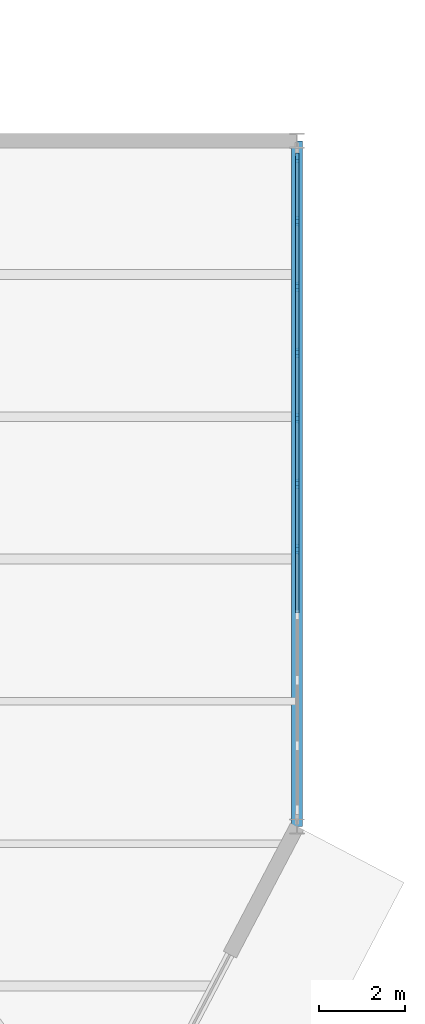
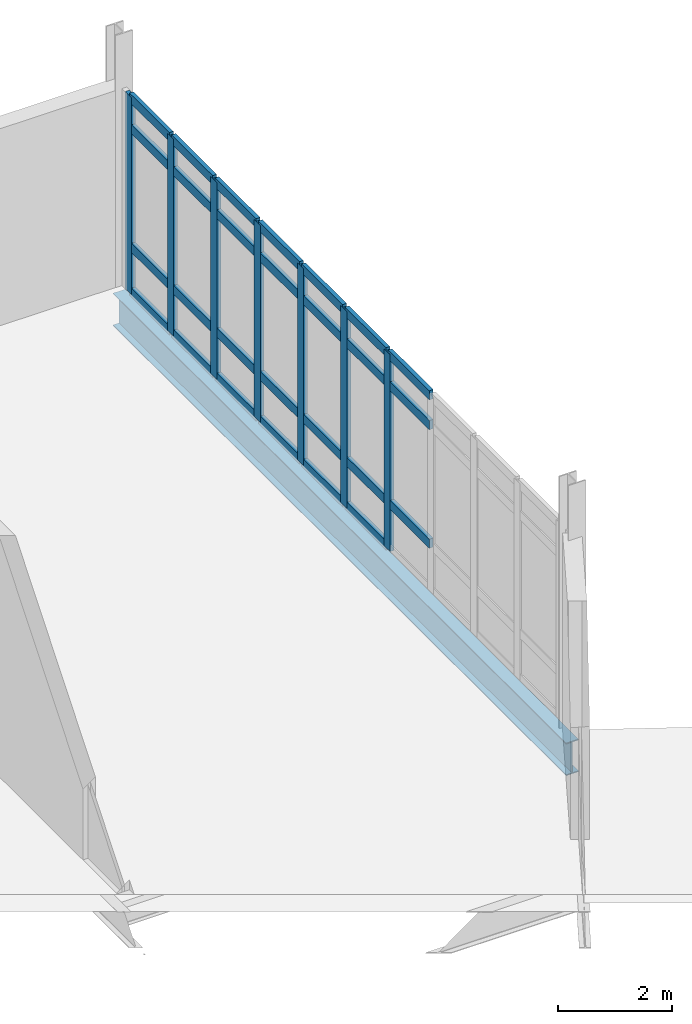
# One storey, part 67 of 113: 34 members, 1 beam, 1 element without a shape of its own.
"""IFC4 building model written with IfcOpenShell, lengths in metres."""

from ifc_helpers import new_model, si_unit, direction, frame, origin, origin_2d, place, context, subcontext, project, spatial, rectangle, i_section, extrude, material, material_profile, profile_set, type_object, element, aggregate, save


model = new_model("IFC4")

# Units and contexts
model_context = context("Model", 3, precision=1e-05, world=origin(), true_north=direction((0.0, 1.0)))
body_context = subcontext(model_context, "Body", "Model", "MODEL_VIEW")
ifc_project = project(units=[si_unit("LENGTHUNIT", "METRE"), si_unit("AREAUNIT", "SQUARE_METRE"), si_unit("VOLUMEUNIT", "CUBIC_METRE"), si_unit("PLANEANGLEUNIT", "RADIAN"), si_unit("MASSUNIT", "GRAM", prefix="KILO")], contexts=[model_context])

# Site, building, storey
site_placement = place(None, origin())
site = spatial("IfcSite", under=ifc_project, at=site_placement, CompositionType="ELEMENT")
building_placement = place(site_placement, origin())
building = spatial("IfcBuilding", under=site, at=building_placement, Name="Tameran Prism Museum", CompositionType="ELEMENT")
storey_placement = place(building_placement, origin())
storey = spatial("IfcBuildingStorey", under=building, at=storey_placement, Name="L00", CompositionType="ELEMENT", Elevation=0.0)

# Beam
ifc_material_1 = material(Name="Steel Grade 350 (350 MPa)", Category="steel")
ifc_material_profile_1 = material_profile(ifc_material_1, i_section(OverallWidth=0.25, OverallDepth=0.699951171875, WebThickness=0.010009765625, FlangeThickness=0.02001953125, at=origin_2d()))
ifc_profile_set_1 = profile_set([ifc_material_profile_1])
beam_type = type_object("IfcBeamType", Name="BM-SP700", PredefinedType="SPANDREL", material=ifc_profile_set_1)
beam_placement = place(storey_placement, frame((166.39990234375, 96.10009765625, -0.590087890625), z_axis=(0.0, 1.0, 0.0), x_axis=(-1.0, 0.0, 0.0)))
element("IfcBeam", 1, at=beam_placement, inside=storey, type_object=beam_type, Name="Perimeter Spandrel SP-0018", PredefinedType="SPANDREL", context=body_context, shape_type="SweptSolid", body=[
    extrude(i_section(OverallWidth=0.25, OverallDepth=0.699951171875, WebThickness=0.010009765625, FlangeThickness=0.02001953125, at=origin_2d()), origin(), (0.0, 0.0, 1.0), 15.89990234375),
])

# Curtain wall, members
ifc_material_2 = material(Name="Anodised Aluminium 6063-T6 and Cyclone Solar Glass", Category="aluminium")
curtain_wall_type = type_object("IfcCurtainWallType", Name="CW-FAC-1520x422", PredefinedType="USERDEFINED", material=ifc_material_2)
curtain_wall_placement = place(storey_placement, origin())
curtain_wall = element("IfcCurtainWall", 2, at=curtain_wall_placement, inside=storey, type_object=curtain_wall_type, Name="Unitised Curtain Wall CW-026", ObjectType="UNITISED CURTAIN WALL", PredefinedType="USERDEFINED")
ifc_material_3 = material(Name="Anodised Aluminium Alloy 6063-T6", Category="aluminium")
ifc_material_profile_2 = material_profile(ifc_material_3, rectangle(XDim=0.080078125, YDim=0.219970703125, at=origin_2d()))
ifc_profile_set_2 = profile_set([ifc_material_profile_2])
member_type_1 = type_object("IfcMemberType", Name="CW-MUL-D", PredefinedType="MULLION", material=ifc_profile_set_2)
member_1_placement = place(storey_placement, frame((166.39990234375, 111.610107421875, 0.0), z_axis=(0.0, 0.0, 1.0), x_axis=(1.0, 0.0, 0.0)))
member_1 = element("IfcMember", 3, at=member_1_placement, type_object=member_type_1, Name="CW-026 mullion 1", PredefinedType="MULLION", context=body_context, shape_type="SweptSolid", body=[
    extrude(rectangle(XDim=0.080078125, YDim=0.219970703125, at=origin_2d()), origin(), (0.0, 0.0, 1.0), 4.219970703125),
])
member_2_placement = place(storey_placement, frame((166.39990234375, 110.1298828125, 0.0), z_axis=(0.0, 0.0, 1.0), x_axis=(1.0, 0.0, 0.0)))
member_2 = element("IfcMember", 4, at=member_2_placement, type_object=member_type_1, Name="CW-026 mullion 2", PredefinedType="MULLION", context=body_context, shape_type="SweptSolid", body=[
    extrude(rectangle(XDim=0.080078125, YDim=0.219970703125, at=origin_2d()), origin(), (0.0, 0.0, 1.0), 4.219970703125),
])
member_3_placement = place(storey_placement, frame((166.39990234375, 108.610107421875, 0.0), z_axis=(0.0, 0.0, 1.0), x_axis=(1.0, 0.0, 0.0)))
member_3 = element("IfcMember", 5, at=member_3_placement, type_object=member_type_1, Name="CW-026 mullion 3", PredefinedType="MULLION", context=body_context, shape_type="SweptSolid", body=[
    extrude(rectangle(XDim=0.080078125, YDim=0.219970703125, at=origin_2d()), origin(), (0.0, 0.0, 1.0), 4.219970703125),
])
member_4_placement = place(storey_placement, frame((166.39990234375, 107.090087890625, 0.0), z_axis=(0.0, 0.0, 1.0), x_axis=(1.0, 0.0, 0.0)))
member_4 = element("IfcMember", 6, at=member_4_placement, type_object=member_type_1, Name="CW-026 mullion 4", PredefinedType="MULLION", context=body_context, shape_type="SweptSolid", body=[
    extrude(rectangle(XDim=0.080078125, YDim=0.219970703125, at=origin_2d()), origin(), (0.0, 0.0, 1.0), 4.219970703125),
])
member_5_placement = place(storey_placement, frame((166.39990234375, 105.570068359375, 0.0), z_axis=(0.0, 0.0, 1.0), x_axis=(1.0, 0.0, 0.0)))
member_5 = element("IfcMember", 7, at=member_5_placement, type_object=member_type_1, Name="CW-026 mullion 5", PredefinedType="MULLION", context=body_context, shape_type="SweptSolid", body=[
    extrude(rectangle(XDim=0.080078125, YDim=0.219970703125, at=origin_2d()), origin(), (0.0, 0.0, 1.0), 4.219970703125),
])
member_6_placement = place(storey_placement, frame((166.39990234375, 104.050048828125, 0.0), z_axis=(0.0, 0.0, 1.0), x_axis=(1.0, 0.0, 0.0)))
member_6 = element("IfcMember", 8, at=member_6_placement, type_object=member_type_1, Name="CW-026 mullion 6", PredefinedType="MULLION", context=body_context, shape_type="SweptSolid", body=[
    extrude(rectangle(XDim=0.080078125, YDim=0.219970703125, at=origin_2d()), origin(), (0.0, 0.0, 1.0), 4.219970703125),
])
member_7_placement = place(storey_placement, frame((166.39990234375, 102.530029296875, 0.0), z_axis=(0.0, 0.0, 1.0), x_axis=(1.0, 0.0, 0.0)))
member_7 = element("IfcMember", 9, at=member_7_placement, type_object=member_type_1, Name="CW-026 mullion 7", PredefinedType="MULLION", context=body_context, shape_type="SweptSolid", body=[
    extrude(rectangle(XDim=0.080078125, YDim=0.219970703125, at=origin_2d()), origin(), (0.0, 0.0, 1.0), 4.219970703125),
])
ifc_material_4 = material(Name="Anodised Aluminium Alloy 6063-T6", Category="aluminium")
ifc_material_profile_3 = material_profile(ifc_material_4, rectangle(XDim=0.080078125, YDim=0.195068359375, at=origin_2d()))
ifc_profile_set_3 = profile_set([ifc_material_profile_3])
member_type_2 = type_object("IfcMemberType", Name="CW-TRN-D", PredefinedType="USERDEFINED", material=ifc_profile_set_3)
member_8_placement = place(storey_placement, frame((166.39990234375, 111.570068359375, 0.0400390625), z_axis=(0.0, -1.0, 0.0), x_axis=(1.0, 0.0, 0.0)))
member_8 = element("IfcMember", 10, at=member_8_placement, type_object=member_type_2, Name="CW-026 transom 1.1", ObjectType="TRANSOM", PredefinedType="USERDEFINED", context=body_context, shape_type="SweptSolid", body=[
    extrude(rectangle(XDim=0.080078125, YDim=0.195068359375, at=origin_2d()), origin(), (0.0, 0.0, 1.0), 1.400146484375),
])
member_9_placement = place(storey_placement, frame((166.39990234375, 111.570068359375, 1.0), z_axis=(0.0, -1.0, 0.0), x_axis=(1.0, 0.0, 0.0)))
member_9 = element("IfcMember", 11, at=member_9_placement, type_object=member_type_2, Name="CW-026 transom 1.2", ObjectType="TRANSOM", PredefinedType="USERDEFINED", context=body_context, shape_type="SweptSolid", body=[
    extrude(rectangle(XDim=0.080078125, YDim=0.195068359375, at=origin_2d()), origin(), (0.0, 0.0, 1.0), 1.400146484375),
])
member_10_placement = place(storey_placement, frame((166.39990234375, 111.570068359375, 3.5400390625), z_axis=(0.0, -1.0, 0.0), x_axis=(1.0, 0.0, 0.0)))
member_10 = element("IfcMember", 12, at=member_10_placement, type_object=member_type_2, Name="CW-026 transom 1.3", ObjectType="TRANSOM", PredefinedType="USERDEFINED", context=body_context, shape_type="SweptSolid", body=[
    extrude(rectangle(XDim=0.080078125, YDim=0.195068359375, at=origin_2d()), origin(), (0.0, 0.0, 1.0), 1.400146484375),
])
member_11_placement = place(storey_placement, frame((166.39990234375, 111.570068359375, 4.179931640625), z_axis=(0.0, -1.0, 0.0), x_axis=(1.0, 0.0, 0.0)))
member_11 = element("IfcMember", 13, at=member_11_placement, type_object=member_type_2, Name="CW-026 transom 1.4", ObjectType="TRANSOM", PredefinedType="USERDEFINED", context=body_context, shape_type="SweptSolid", body=[
    extrude(rectangle(XDim=0.080078125, YDim=0.195068359375, at=origin_2d()), origin(), (0.0, 0.0, 1.0), 1.400146484375),
])
member_12_placement = place(storey_placement, frame((166.39990234375, 110.090087890625, 0.0400390625), z_axis=(0.0, -1.0, 0.0), x_axis=(1.0, 0.0, 0.0)))
member_12 = element("IfcMember", 14, at=member_12_placement, type_object=member_type_2, Name="CW-026 transom 2.1", ObjectType="TRANSOM", PredefinedType="USERDEFINED", context=body_context, shape_type="SweptSolid", body=[
    extrude(rectangle(XDim=0.080078125, YDim=0.195068359375, at=origin_2d()), origin(), (0.0, 0.0, 1.0), 1.440185546875),
])
member_13_placement = place(storey_placement, frame((166.39990234375, 110.090087890625, 1.0), z_axis=(0.0, -1.0, 0.0), x_axis=(1.0, 0.0, 0.0)))
member_13 = element("IfcMember", 15, at=member_13_placement, type_object=member_type_2, Name="CW-026 transom 2.2", ObjectType="TRANSOM", PredefinedType="USERDEFINED", context=body_context, shape_type="SweptSolid", body=[
    extrude(rectangle(XDim=0.080078125, YDim=0.195068359375, at=origin_2d()), origin(), (0.0, 0.0, 1.0), 1.440185546875),
])
member_14_placement = place(storey_placement, frame((166.39990234375, 110.090087890625, 3.5400390625), z_axis=(0.0, -1.0, 0.0), x_axis=(1.0, 0.0, 0.0)))
member_14 = element("IfcMember", 16, at=member_14_placement, type_object=member_type_2, Name="CW-026 transom 2.3", ObjectType="TRANSOM", PredefinedType="USERDEFINED", context=body_context, shape_type="SweptSolid", body=[
    extrude(rectangle(XDim=0.080078125, YDim=0.195068359375, at=origin_2d()), origin(), (0.0, 0.0, 1.0), 1.440185546875),
])
member_15_placement = place(storey_placement, frame((166.39990234375, 110.090087890625, 4.179931640625), z_axis=(0.0, -1.0, 0.0), x_axis=(1.0, 0.0, 0.0)))
member_15 = element("IfcMember", 17, at=member_15_placement, type_object=member_type_2, Name="CW-026 transom 2.4", ObjectType="TRANSOM", PredefinedType="USERDEFINED", context=body_context, shape_type="SweptSolid", body=[
    extrude(rectangle(XDim=0.080078125, YDim=0.195068359375, at=origin_2d()), origin(), (0.0, 0.0, 1.0), 1.440185546875),
])
member_16_placement = place(storey_placement, frame((166.39990234375, 108.570068359375, 0.0400390625), z_axis=(0.0, -1.0, 0.0), x_axis=(1.0, 0.0, 0.0)))
member_16 = element("IfcMember", 18, at=member_16_placement, type_object=member_type_2, Name="CW-026 transom 3.1", ObjectType="TRANSOM", PredefinedType="USERDEFINED", context=body_context, shape_type="SweptSolid", body=[
    extrude(rectangle(XDim=0.080078125, YDim=0.195068359375, at=origin_2d()), origin(), (0.0, 0.0, 1.0), 1.440185546875),
])
member_17_placement = place(storey_placement, frame((166.39990234375, 108.570068359375, 1.0), z_axis=(0.0, -1.0, 0.0), x_axis=(1.0, 0.0, 0.0)))
member_17 = element("IfcMember", 19, at=member_17_placement, type_object=member_type_2, Name="CW-026 transom 3.2", ObjectType="TRANSOM", PredefinedType="USERDEFINED", context=body_context, shape_type="SweptSolid", body=[
    extrude(rectangle(XDim=0.080078125, YDim=0.195068359375, at=origin_2d()), origin(), (0.0, 0.0, 1.0), 1.440185546875),
])
member_18_placement = place(storey_placement, frame((166.39990234375, 108.570068359375, 3.5400390625), z_axis=(0.0, -1.0, 0.0), x_axis=(1.0, 0.0, 0.0)))
member_18 = element("IfcMember", 20, at=member_18_placement, type_object=member_type_2, Name="CW-026 transom 3.3", ObjectType="TRANSOM", PredefinedType="USERDEFINED", context=body_context, shape_type="SweptSolid", body=[
    extrude(rectangle(XDim=0.080078125, YDim=0.195068359375, at=origin_2d()), origin(), (0.0, 0.0, 1.0), 1.440185546875),
])
member_19_placement = place(storey_placement, frame((166.39990234375, 108.570068359375, 4.179931640625), z_axis=(0.0, -1.0, 0.0), x_axis=(1.0, 0.0, 0.0)))
member_19 = element("IfcMember", 21, at=member_19_placement, type_object=member_type_2, Name="CW-026 transom 3.4", ObjectType="TRANSOM", PredefinedType="USERDEFINED", context=body_context, shape_type="SweptSolid", body=[
    extrude(rectangle(XDim=0.080078125, YDim=0.195068359375, at=origin_2d()), origin(), (0.0, 0.0, 1.0), 1.440185546875),
])
member_20_placement = place(storey_placement, frame((166.39990234375, 107.050048828125, 0.0400390625), z_axis=(0.0, -1.0, 0.0), x_axis=(1.0, 0.0, 0.0)))
member_20 = element("IfcMember", 22, at=member_20_placement, type_object=member_type_2, Name="CW-026 transom 4.1", ObjectType="TRANSOM", PredefinedType="USERDEFINED", context=body_context, shape_type="SweptSolid", body=[
    extrude(rectangle(XDim=0.080078125, YDim=0.195068359375, at=origin_2d()), origin(), (0.0, 0.0, 1.0), 1.43994140625),
])
member_21_placement = place(storey_placement, frame((166.39990234375, 107.050048828125, 1.0), z_axis=(0.0, -1.0, 0.0), x_axis=(1.0, 0.0, 0.0)))
member_21 = element("IfcMember", 23, at=member_21_placement, type_object=member_type_2, Name="CW-026 transom 4.2", ObjectType="TRANSOM", PredefinedType="USERDEFINED", context=body_context, shape_type="SweptSolid", body=[
    extrude(rectangle(XDim=0.080078125, YDim=0.195068359375, at=origin_2d()), origin(), (0.0, 0.0, 1.0), 1.43994140625),
])
member_22_placement = place(storey_placement, frame((166.39990234375, 107.050048828125, 3.5400390625), z_axis=(0.0, -1.0, 0.0), x_axis=(1.0, 0.0, 0.0)))
member_22 = element("IfcMember", 24, at=member_22_placement, type_object=member_type_2, Name="CW-026 transom 4.3", ObjectType="TRANSOM", PredefinedType="USERDEFINED", context=body_context, shape_type="SweptSolid", body=[
    extrude(rectangle(XDim=0.080078125, YDim=0.195068359375, at=origin_2d()), origin(), (0.0, 0.0, 1.0), 1.43994140625),
])
member_23_placement = place(storey_placement, frame((166.39990234375, 107.050048828125, 4.179931640625), z_axis=(0.0, -1.0, 0.0), x_axis=(1.0, 0.0, 0.0)))
member_23 = element("IfcMember", 25, at=member_23_placement, type_object=member_type_2, Name="CW-026 transom 4.4", ObjectType="TRANSOM", PredefinedType="USERDEFINED", context=body_context, shape_type="SweptSolid", body=[
    extrude(rectangle(XDim=0.080078125, YDim=0.195068359375, at=origin_2d()), origin(), (0.0, 0.0, 1.0), 1.43994140625),
])
member_24_placement = place(storey_placement, frame((166.39990234375, 105.530029296875, 0.0400390625), z_axis=(0.0, -1.0, 0.0), x_axis=(1.0, 0.0, 0.0)))
member_24 = element("IfcMember", 26, at=member_24_placement, type_object=member_type_2, Name="CW-026 transom 5.1", ObjectType="TRANSOM", PredefinedType="USERDEFINED", context=body_context, shape_type="SweptSolid", body=[
    extrude(rectangle(XDim=0.080078125, YDim=0.195068359375, at=origin_2d()), origin(), (0.0, 0.0, 1.0), 1.43994140625),
])
member_25_placement = place(storey_placement, frame((166.39990234375, 105.530029296875, 1.0), z_axis=(0.0, -1.0, 0.0), x_axis=(1.0, 0.0, 0.0)))
member_25 = element("IfcMember", 27, at=member_25_placement, type_object=member_type_2, Name="CW-026 transom 5.2", ObjectType="TRANSOM", PredefinedType="USERDEFINED", context=body_context, shape_type="SweptSolid", body=[
    extrude(rectangle(XDim=0.080078125, YDim=0.195068359375, at=origin_2d()), origin(), (0.0, 0.0, 1.0), 1.43994140625),
])
member_26_placement = place(storey_placement, frame((166.39990234375, 105.530029296875, 3.5400390625), z_axis=(0.0, -1.0, 0.0), x_axis=(1.0, 0.0, 0.0)))
member_26 = element("IfcMember", 28, at=member_26_placement, type_object=member_type_2, Name="CW-026 transom 5.3", ObjectType="TRANSOM", PredefinedType="USERDEFINED", context=body_context, shape_type="SweptSolid", body=[
    extrude(rectangle(XDim=0.080078125, YDim=0.195068359375, at=origin_2d()), origin(), (0.0, 0.0, 1.0), 1.43994140625),
])
member_27_placement = place(storey_placement, frame((166.39990234375, 105.530029296875, 4.179931640625), z_axis=(0.0, -1.0, 0.0), x_axis=(1.0, 0.0, 0.0)))
member_27 = element("IfcMember", 29, at=member_27_placement, type_object=member_type_2, Name="CW-026 transom 5.4", ObjectType="TRANSOM", PredefinedType="USERDEFINED", context=body_context, shape_type="SweptSolid", body=[
    extrude(rectangle(XDim=0.080078125, YDim=0.195068359375, at=origin_2d()), origin(), (0.0, 0.0, 1.0), 1.43994140625),
])
member_28_placement = place(storey_placement, frame((166.39990234375, 104.010009765625, 0.0400390625), z_axis=(0.0, -1.0, 0.0), x_axis=(1.0, 0.0, 0.0)))
member_28 = element("IfcMember", 30, at=member_28_placement, type_object=member_type_2, Name="CW-026 transom 6.1", ObjectType="TRANSOM", PredefinedType="USERDEFINED", context=body_context, shape_type="SweptSolid", body=[
    extrude(rectangle(XDim=0.080078125, YDim=0.195068359375, at=origin_2d()), origin(), (0.0, 0.0, 1.0), 1.43994140625),
])
member_29_placement = place(storey_placement, frame((166.39990234375, 104.010009765625, 1.0), z_axis=(0.0, -1.0, 0.0), x_axis=(1.0, 0.0, 0.0)))
member_29 = element("IfcMember", 31, at=member_29_placement, type_object=member_type_2, Name="CW-026 transom 6.2", ObjectType="TRANSOM", PredefinedType="USERDEFINED", context=body_context, shape_type="SweptSolid", body=[
    extrude(rectangle(XDim=0.080078125, YDim=0.195068359375, at=origin_2d()), origin(), (0.0, 0.0, 1.0), 1.43994140625),
])
member_30_placement = place(storey_placement, frame((166.39990234375, 104.010009765625, 3.5400390625), z_axis=(0.0, -1.0, 0.0), x_axis=(1.0, 0.0, 0.0)))
member_30 = element("IfcMember", 32, at=member_30_placement, type_object=member_type_2, Name="CW-026 transom 6.3", ObjectType="TRANSOM", PredefinedType="USERDEFINED", context=body_context, shape_type="SweptSolid", body=[
    extrude(rectangle(XDim=0.080078125, YDim=0.195068359375, at=origin_2d()), origin(), (0.0, 0.0, 1.0), 1.43994140625),
])
member_31_placement = place(storey_placement, frame((166.39990234375, 104.010009765625, 4.179931640625), z_axis=(0.0, -1.0, 0.0), x_axis=(1.0, 0.0, 0.0)))
member_31 = element("IfcMember", 33, at=member_31_placement, type_object=member_type_2, Name="CW-026 transom 6.4", ObjectType="TRANSOM", PredefinedType="USERDEFINED", context=body_context, shape_type="SweptSolid", body=[
    extrude(rectangle(XDim=0.080078125, YDim=0.195068359375, at=origin_2d()), origin(), (0.0, 0.0, 1.0), 1.43994140625),
])
member_32_placement = place(storey_placement, frame((166.39990234375, 102.489990234375, 1.0), z_axis=(0.0, -1.0, 0.0), x_axis=(1.0, 0.0, 0.0)))
member_32 = element("IfcMember", 34, at=member_32_placement, type_object=member_type_2, Name="CW-026 transom 7.2", ObjectType="TRANSOM", PredefinedType="USERDEFINED", context=body_context, shape_type="SweptSolid", body=[
    extrude(rectangle(XDim=0.080078125, YDim=0.195068359375, at=origin_2d()), origin(), (0.0, 0.0, 1.0), 1.43994140625),
])
member_33_placement = place(storey_placement, frame((166.39990234375, 102.489990234375, 3.5400390625), z_axis=(0.0, -1.0, 0.0), x_axis=(1.0, 0.0, 0.0)))
member_33 = element("IfcMember", 35, at=member_33_placement, type_object=member_type_2, Name="CW-026 transom 7.3", ObjectType="TRANSOM", PredefinedType="USERDEFINED", context=body_context, shape_type="SweptSolid", body=[
    extrude(rectangle(XDim=0.080078125, YDim=0.195068359375, at=origin_2d()), origin(), (0.0, 0.0, 1.0), 1.43994140625),
])
member_34_placement = place(storey_placement, frame((166.39990234375, 102.489990234375, 4.179931640625), z_axis=(0.0, -1.0, 0.0), x_axis=(1.0, 0.0, 0.0)))
member_34 = element("IfcMember", 36, at=member_34_placement, type_object=member_type_2, Name="CW-026 transom 7.4", ObjectType="TRANSOM", PredefinedType="USERDEFINED", context=body_context, shape_type="SweptSolid", body=[
    extrude(rectangle(XDim=0.080078125, YDim=0.195068359375, at=origin_2d()), origin(), (0.0, 0.0, 1.0), 1.43994140625),
])
aggregate(curtain_wall, [member_1, member_2, member_3, member_4, member_5, member_6, member_7, member_8, member_9, member_10, member_11, member_12, member_13, member_14, member_15, member_16, member_17, member_18, member_19, member_20, member_21, member_22, member_23, member_24, member_25, member_26, member_27, member_28, member_29, member_30, member_31, member_32, member_33, member_34])

save(model, "model.ifc")
